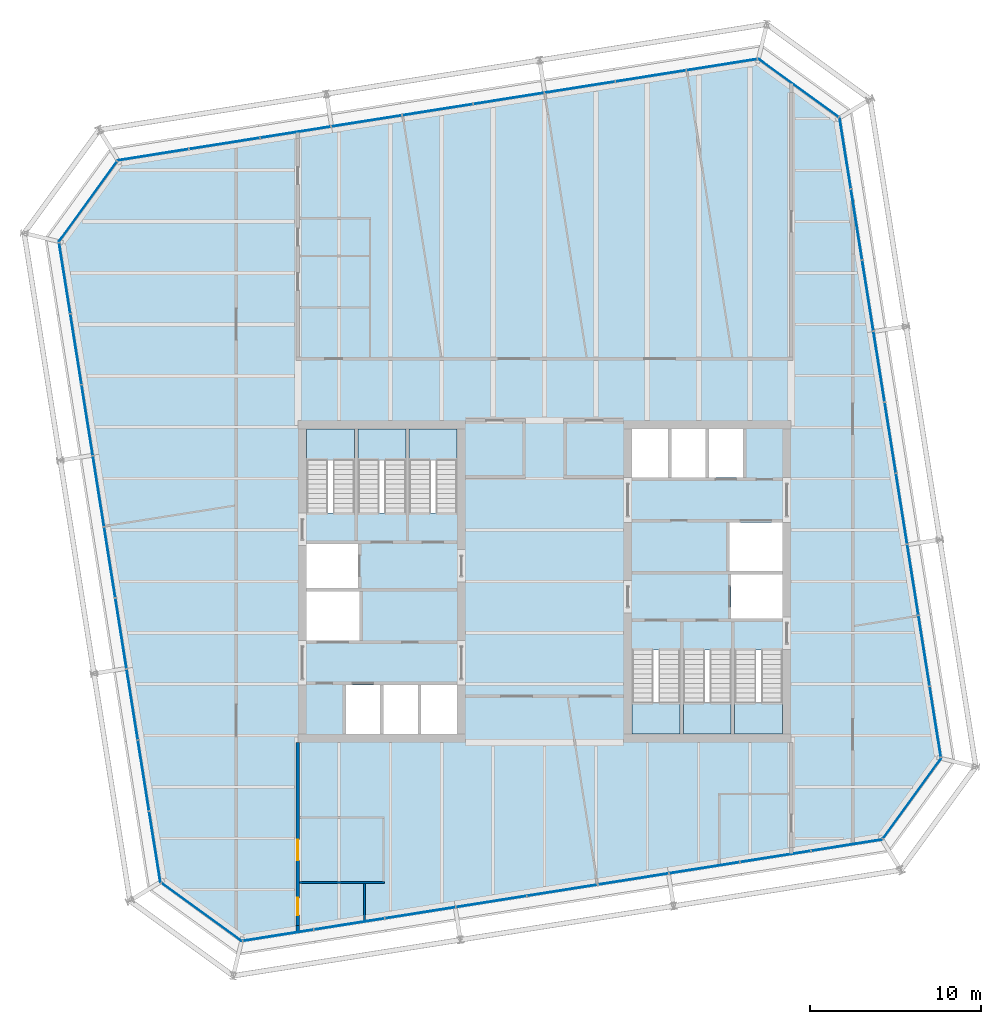
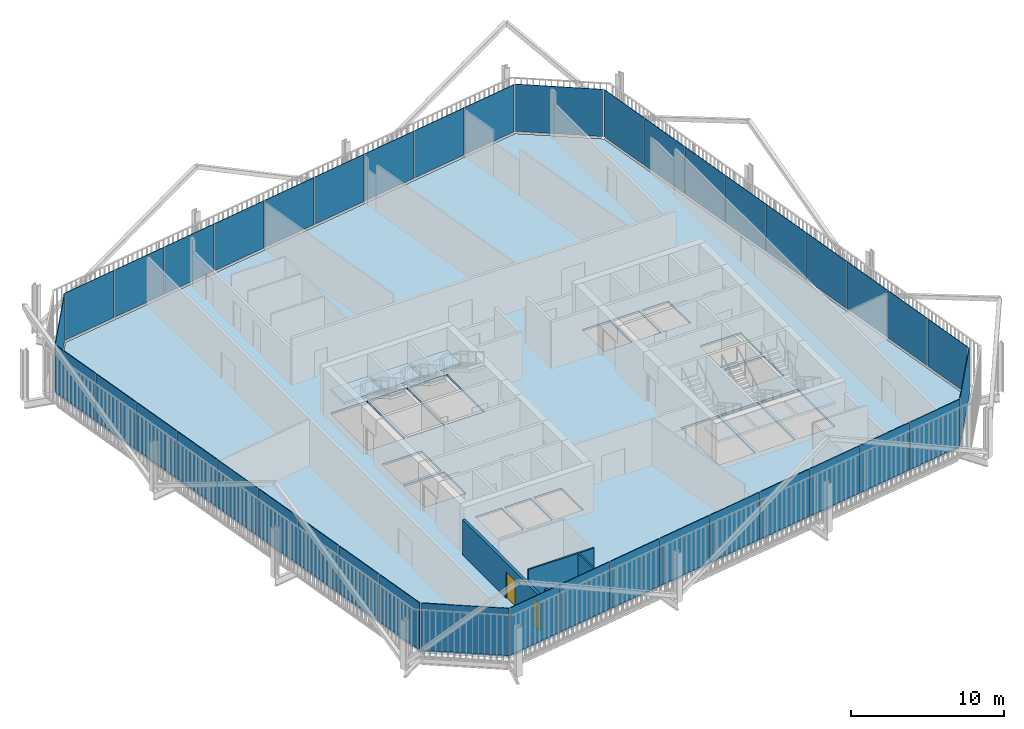
# One storey, part 16 of 21: 40 plates, 7 slabs, 4 walls, 2 doors, 2 openings, 14 elements without a shape of their own.
"""IFC4 building model written with IfcOpenShell, lengths in metres."""

from ifc_helpers import new_model, si_unit, direction, frame, frame_2d, origin, place, context, subcontext, project, spatial, polyline, rectangle, outline, extrude, material, layer, layer_set, type_object, element, fill, aggregate, save


model = new_model("IFC4")

# Units and contexts
model_context = context("Model", 3, precision=1e-05, world=origin(), true_north=direction((0.0, 1.0)))
body_context = subcontext(model_context, "Body", "Model", "MODEL_VIEW")
ifc_project = project(units=[si_unit("LENGTHUNIT", "METRE"), si_unit("AREAUNIT", "SQUARE_METRE"), si_unit("VOLUMEUNIT", "CUBIC_METRE"), si_unit("PLANEANGLEUNIT", "RADIAN"), si_unit("MASSUNIT", "GRAM", prefix="KILO")], contexts=[model_context])

# Site, building, storey
site_placement = place(None, origin())
site = spatial("IfcSite", under=ifc_project, at=site_placement, CompositionType="ELEMENT")
building_placement = place(site_placement, origin())
building = spatial("IfcBuilding", under=site, at=building_placement, Name="Millrace Tower", CompositionType="ELEMENT")
storey_placement = place(building_placement, frame((0.0, 0.0, 220.300048828125)))
storey = spatial("IfcBuildingStorey", under=building, at=storey_placement, Name="L50", CompositionType="ELEMENT", Elevation=220.300048828125)

# Curtain wall, plate
ifc_material_1 = material(Name="Aluminium and glass", Category="aluminium")
ifc_layer_1 = layer(ifc_material_1, 0.14990234375)
ifc_layer_set_1 = layer_set([ifc_layer_1], Name="Aluminium and glass")
curtain_wall_type = type_object("IfcCurtainWallType", Name="CW-1 office vision curtain wall", PredefinedType="NOTDEFINED", material=ifc_layer_set_1)
placement_1 = place(storey_placement, origin())
curtain_wall_1 = element("IfcCurtainWall", 1, at=placement_1, inside=storey, type_object=curtain_wall_type, Name="Curtain wall D-F01 L50", PredefinedType="NOTDEFINED")
ifc_material_2 = material(Name="Glass", Category="glass")
ifc_layer_2 = layer(ifc_material_2, 0.0439453125)
ifc_layer_set_2 = layer_set([ifc_layer_2], Name="Glass")
plate_type = type_object("IfcPlateType", Name="CW-1 office vision curtain wall triple-glazed vision panel", PredefinedType="CURTAIN_PANEL", material=ifc_layer_set_2)
placement_2 = place(storey_placement, frame((0.0, 0.0, 0.139892578125)))
plate_1 = element("IfcPlate", 2, at=placement_2, type_object=plate_type, Name="CW1 panel D-F01.1", PredefinedType="CURTAIN_PANEL", context=body_context, shape_type="SweptSolid", body=[
    extrude(outline(polyline([(-22.36474609375, -17.632080078125), (-17.69384765625, -21.025634765625), (-17.6826171875, -20.979248046875), (-22.3388671875, -17.596435546875), (-22.36474609375, -17.632080078125)])), origin(), (0.0, 0.0, 1.0), 3.760009765625),
])
aggregate(curtain_wall_1, [plate_1])

# Curtain wall, plates
curtain_wall_2 = element("IfcCurtainWall", 3, at=placement_1, inside=storey, type_object=curtain_wall_type, Name="Curtain wall D-F02 L50", PredefinedType="NOTDEFINED")
plate_2 = element("IfcPlate", 4, at=placement_2, type_object=plate_type, Name="CW1 panel D-F02.1", PredefinedType="CURTAIN_PANEL", context=body_context, shape_type="SweptSolid", body=[
    extrude(outline(polyline([(-17.58984375, -21.009033203125), (-13.505859375, -20.3623046875), (-13.5126953125, -20.31884765625), (-17.596923828125, -20.965576171875), (-17.58984375, -21.009033203125)])), origin(), (0.0, 0.0, 1.0), 3.760009765625),
])
plate_3 = element("IfcPlate", 5, at=placement_2, type_object=plate_type, Name="CW1 panel D-F02.2", PredefinedType="CURTAIN_PANEL", context=body_context, shape_type="SweptSolid", body=[
    extrude(outline(polyline([(-13.441650390625, -20.35205078125), (-9.357666015625, -19.705078125), (-9.364501953125, -19.66162109375), (-13.448486328125, -20.30859375), (-13.441650390625, -20.35205078125)])), origin(), (0.0, 0.0, 1.0), 3.760009765625),
])
plate_4 = element("IfcPlate", 6, at=placement_2, type_object=plate_type, Name="CW1 panel D-F02.3", PredefinedType="CURTAIN_PANEL", context=body_context, shape_type="SweptSolid", body=[
    extrude(outline(polyline([(-9.29345703125, -19.695068359375), (-5.209228515625, -19.048095703125), (-5.216064453125, -19.004638671875), (-9.30029296875, -19.651611328125), (-9.29345703125, -19.695068359375)])), origin(), (0.0, 0.0, 1.0), 3.760009765625),
])
plate_5 = element("IfcPlate", 7, at=placement_2, type_object=plate_type, Name="CW1 panel D-F02.4", PredefinedType="CURTAIN_PANEL", context=body_context, shape_type="SweptSolid", body=[
    extrude(outline(polyline([(-5.14501953125, -19.0380859375), (-1.06103515625, -18.39111328125), (-1.06787109375, -18.34765625), (-5.15185546875, -18.99462890625), (-5.14501953125, -19.0380859375)])), origin(), (0.0, 0.0, 1.0), 3.760009765625),
])
plate_6 = element("IfcPlate", 8, at=placement_2, type_object=plate_type, Name="CW1 panel D-F02.5", PredefinedType="CURTAIN_PANEL", context=body_context, shape_type="SweptSolid", body=[
    extrude(outline(polyline([(-0.996826171875, -18.380859375), (3.08740234375, -17.734130859375), (3.080322265625, -17.690673828125), (-1.003662109375, -18.33740234375), (-0.996826171875, -18.380859375)])), origin(), (0.0, 0.0, 1.0), 3.760009765625),
])
plate_7 = element("IfcPlate", 9, at=placement_2, type_object=plate_type, Name="CW1 panel D-F02.6", PredefinedType="CURTAIN_PANEL", context=body_context, shape_type="SweptSolid", body=[
    extrude(outline(polyline([(3.151611328125, -17.723876953125), (7.235595703125, -17.0771484375), (7.228759765625, -17.03369140625), (3.14453125, -17.680419921875), (3.151611328125, -17.723876953125)])), origin(), (0.0, 0.0, 1.0), 3.760009765625),
])
plate_8 = element("IfcPlate", 10, at=placement_2, type_object=plate_type, Name="CW1 panel D-F02.7", PredefinedType="CURTAIN_PANEL", context=body_context, shape_type="SweptSolid", body=[
    extrude(outline(polyline([(7.2998046875, -17.06689453125), (11.3837890625, -16.420166015625), (11.376953125, -16.376708984375), (7.29296875, -17.0234375), (7.2998046875, -17.06689453125)])), origin(), (0.0, 0.0, 1.0), 3.760009765625),
])
plate_9 = element("IfcPlate", 11, at=placement_2, type_object=plate_type, Name="CW1 panel D-F02.8", PredefinedType="CURTAIN_PANEL", context=body_context, shape_type="SweptSolid", body=[
    extrude(outline(polyline([(11.447998046875, -16.409912109375), (15.5322265625, -15.762939453125), (15.525390625, -15.719482421875), (11.441162109375, -16.366455078125), (11.447998046875, -16.409912109375)])), origin(), (0.0, 0.0, 1.0), 3.760009765625),
])
plate_10 = element("IfcPlate", 12, at=placement_2, type_object=plate_type, Name="CW1 panel D-F02.9", PredefinedType="CURTAIN_PANEL", context=body_context, shape_type="SweptSolid", body=[
    extrude(outline(polyline([(15.596435546875, -15.7529296875), (19.72021484375, -15.099853515625), (19.6953125, -15.05908203125), (15.589599609375, -15.70947265625), (15.596435546875, -15.7529296875)])), origin(), (0.0, 0.0, 1.0), 3.760009765625),
])
aggregate(curtain_wall_2, [plate_2, plate_3, plate_4, plate_5, plate_6, plate_7, plate_8, plate_9, plate_10])

# Curtain wall, plate
curtain_wall_3 = element("IfcCurtainWall", 13, at=placement_1, inside=storey, type_object=curtain_wall_type, Name="Curtain wall D-F03 L50", PredefinedType="NOTDEFINED")
plate_11 = element("IfcPlate", 14, at=placement_2, type_object=plate_type, Name="CW1 panel D-F03.1", PredefinedType="CURTAIN_PANEL", context=body_context, shape_type="SweptSolid", body=[
    extrude(outline(polyline([(19.781982421875, -15.0146484375), (23.175537109375, -10.34375), (23.129150390625, -10.332763671875), (19.746337890625, -14.98876953125), (19.781982421875, -15.0146484375)])), origin(), (0.0, 0.0, 1.0), 3.760009765625),
])
aggregate(curtain_wall_3, [plate_11])

# Curtain wall, plates
curtain_wall_4 = element("IfcCurtainWall", 15, at=placement_1, inside=storey, type_object=curtain_wall_type, Name="Curtain wall D-F04 L50", PredefinedType="NOTDEFINED")
plate_12 = element("IfcPlate", 16, at=placement_2, type_object=plate_type, Name="CW1 panel D-F04.1", PredefinedType="CURTAIN_PANEL", context=body_context, shape_type="SweptSolid", body=[
    extrude(outline(polyline([(23.1591796875, -10.239990234375), (22.51220703125, -6.15576171875), (22.46875, -6.162841796875), (23.11572265625, -10.246826171875), (23.1591796875, -10.239990234375)])), origin(), (0.0, 0.0, 1.0), 3.760009765625),
])
plate_13 = element("IfcPlate", 17, at=placement_2, type_object=plate_type, Name="CW1 panel D-F04.2", PredefinedType="CURTAIN_PANEL", context=body_context, shape_type="SweptSolid", body=[
    extrude(outline(polyline([(22.501953125, -6.091552734375), (21.855224609375, -2.007568359375), (21.811767578125, -2.014404296875), (22.45849609375, -6.0986328125), (22.501953125, -6.091552734375)])), origin(), (0.0, 0.0, 1.0), 3.760009765625),
])
plate_14 = element("IfcPlate", 18, at=placement_2, type_object=plate_type, Name="CW1 panel D-F04.3", PredefinedType="CURTAIN_PANEL", context=body_context, shape_type="SweptSolid", body=[
    extrude(outline(polyline([(21.844970703125, -1.943359375), (21.1982421875, 2.140625), (21.15478515625, 2.1337890625), (21.801513671875, -1.9501953125), (21.844970703125, -1.943359375)])), origin(), (0.0, 0.0, 1.0), 3.760009765625),
])
plate_15 = element("IfcPlate", 19, at=placement_2, type_object=plate_type, Name="CW1 panel D-F04.4", PredefinedType="CURTAIN_PANEL", context=body_context, shape_type="SweptSolid", body=[
    extrude(outline(polyline([(21.18798828125, 2.204833984375), (20.541259765625, 6.2890625), (20.497802734375, 6.2822265625), (21.14453125, 2.197998046875), (21.18798828125, 2.204833984375)])), origin(), (0.0, 0.0, 1.0), 3.760009765625),
])
plate_16 = element("IfcPlate", 20, at=placement_2, type_object=plate_type, Name="CW1 panel D-F04.5", PredefinedType="CURTAIN_PANEL", context=body_context, shape_type="SweptSolid", body=[
    extrude(outline(polyline([(20.531005859375, 6.353271484375), (19.884033203125, 10.437255859375), (19.840576171875, 10.430419921875), (20.487548828125, 6.346435546875), (20.531005859375, 6.353271484375)])), origin(), (0.0, 0.0, 1.0), 3.760009765625),
])
plate_17 = element("IfcPlate", 21, at=placement_2, type_object=plate_type, Name="CW1 panel D-F04.6", PredefinedType="CURTAIN_PANEL", context=body_context, shape_type="SweptSolid", body=[
    extrude(outline(polyline([(19.8740234375, 10.50146484375), (19.22705078125, 14.585693359375), (19.18359375, 14.57861328125), (19.83056640625, 10.49462890625), (19.8740234375, 10.50146484375)])), origin(), (0.0, 0.0, 1.0), 3.760009765625),
])
plate_18 = element("IfcPlate", 22, at=placement_2, type_object=plate_type, Name="CW1 panel D-F04.7", PredefinedType="CURTAIN_PANEL", context=body_context, shape_type="SweptSolid", body=[
    extrude(outline(polyline([(19.217041015625, 14.64990234375), (18.570068359375, 18.73388671875), (18.526611328125, 18.72705078125), (19.173583984375, 14.642822265625), (19.217041015625, 14.64990234375)])), origin(), (0.0, 0.0, 1.0), 3.760009765625),
])
plate_19 = element("IfcPlate", 23, at=placement_2, type_object=plate_type, Name="CW1 panel D-F04.8", PredefinedType="CURTAIN_PANEL", context=body_context, shape_type="SweptSolid", body=[
    extrude(outline(polyline([(18.559814453125, 18.798095703125), (17.9130859375, 22.882080078125), (17.86962890625, 22.875244140625), (18.516357421875, 18.791259765625), (18.559814453125, 18.798095703125)])), origin(), (0.0, 0.0, 1.0), 3.760009765625),
])
plate_20 = element("IfcPlate", 24, at=placement_2, type_object=plate_type, Name="CW1 panel D-F04.9", PredefinedType="CURTAIN_PANEL", context=body_context, shape_type="SweptSolid", body=[
    extrude(outline(polyline([(17.90283203125, 22.9462890625), (17.249755859375, 27.070068359375), (17.209228515625, 27.045166015625), (17.859375, 22.939453125), (17.90283203125, 22.9462890625)])), origin(), (0.0, 0.0, 1.0), 3.760009765625),
])
aggregate(curtain_wall_4, [plate_12, plate_13, plate_14, plate_15, plate_16, plate_17, plate_18, plate_19, plate_20])

# Curtain wall, plate
curtain_wall_5 = element("IfcCurtainWall", 25, at=placement_1, inside=storey, type_object=curtain_wall_type, Name="Curtain wall D-F05 L50", PredefinedType="NOTDEFINED")
plate_21 = element("IfcPlate", 26, at=placement_2, type_object=plate_type, Name="CW1 panel D-F05.1", PredefinedType="CURTAIN_PANEL", context=body_context, shape_type="SweptSolid", body=[
    extrude(outline(polyline([(17.16455078125, 27.132080078125), (12.493896484375, 30.525634765625), (12.482666015625, 30.479248046875), (17.138671875, 27.096435546875), (17.16455078125, 27.132080078125)])), origin(), (0.0, 0.0, 1.0), 3.760009765625),
])
aggregate(curtain_wall_5, [plate_21])

# Curtain wall, plates
curtain_wall_6 = element("IfcCurtainWall", 27, at=placement_1, inside=storey, type_object=curtain_wall_type, Name="Curtain wall D-F06 L50", PredefinedType="NOTDEFINED")
plate_22 = element("IfcPlate", 28, at=placement_2, type_object=plate_type, Name="CW1 panel D-F06.1", PredefinedType="CURTAIN_PANEL", context=body_context, shape_type="SweptSolid", body=[
    extrude(outline(polyline([(12.389892578125, 30.509033203125), (8.305908203125, 29.8623046875), (8.312744140625, 29.81884765625), (12.396728515625, 30.465576171875), (12.389892578125, 30.509033203125)])), origin(), (0.0, 0.0, 1.0), 3.760009765625),
])
plate_23 = element("IfcPlate", 29, at=placement_2, type_object=plate_type, Name="CW1 panel D-F06.2", PredefinedType="CURTAIN_PANEL", context=body_context, shape_type="SweptSolid", body=[
    extrude(outline(polyline([(8.24169921875, 29.85205078125), (4.157470703125, 29.205078125), (4.16455078125, 29.16162109375), (8.24853515625, 29.80859375), (8.24169921875, 29.85205078125)])), origin(), (0.0, 0.0, 1.0), 3.760009765625),
])
plate_24 = element("IfcPlate", 30, at=placement_2, type_object=plate_type, Name="CW1 panel D-F06.3", PredefinedType="CURTAIN_PANEL", context=body_context, shape_type="SweptSolid", body=[
    extrude(outline(polyline([(4.09326171875, 29.195068359375), (0.00927734375, 28.548095703125), (0.01611328125, 28.504638671875), (4.100341796875, 29.151611328125), (4.09326171875, 29.195068359375)])), origin(), (0.0, 0.0, 1.0), 3.760009765625),
])
plate_25 = element("IfcPlate", 31, at=placement_2, type_object=plate_type, Name="CW1 panel D-F06.4", PredefinedType="CURTAIN_PANEL", context=body_context, shape_type="SweptSolid", body=[
    extrude(outline(polyline([(-0.054931640625, 28.5380859375), (-4.138916015625, 27.89111328125), (-4.132080078125, 27.84765625), (-0.048095703125, 28.49462890625), (-0.054931640625, 28.5380859375)])), origin(), (0.0, 0.0, 1.0), 3.760009765625),
])
plate_26 = element("IfcPlate", 32, at=placement_2, type_object=plate_type, Name="CW1 panel D-F06.5", PredefinedType="CURTAIN_PANEL", context=body_context, shape_type="SweptSolid", body=[
    extrude(outline(polyline([(-4.203125, 27.880859375), (-8.287353515625, 27.234130859375), (-8.280517578125, 27.190673828125), (-4.1962890625, 27.83740234375), (-4.203125, 27.880859375)])), origin(), (0.0, 0.0, 1.0), 3.760009765625),
])
plate_27 = element("IfcPlate", 33, at=placement_2, type_object=plate_type, Name="CW1 panel D-F06.6", PredefinedType="CURTAIN_PANEL", context=body_context, shape_type="SweptSolid", body=[
    extrude(outline(polyline([(-8.3515625, 27.223876953125), (-12.435546875, 26.5771484375), (-12.4287109375, 26.53369140625), (-8.3447265625, 27.180419921875), (-8.3515625, 27.223876953125)])), origin(), (0.0, 0.0, 1.0), 3.760009765625),
])
plate_28 = element("IfcPlate", 34, at=placement_2, type_object=plate_type, Name="CW1 panel D-F06.7", PredefinedType="CURTAIN_PANEL", context=body_context, shape_type="SweptSolid", body=[
    extrude(outline(polyline([(-12.499755859375, 26.56689453125), (-16.583984375, 25.920166015625), (-16.576904296875, 25.876708984375), (-12.492919921875, 26.5234375), (-12.499755859375, 26.56689453125)])), origin(), (0.0, 0.0, 1.0), 3.760009765625),
])
plate_29 = element("IfcPlate", 35, at=placement_2, type_object=plate_type, Name="CW1 panel D-F06.8", PredefinedType="CURTAIN_PANEL", context=body_context, shape_type="SweptSolid", body=[
    extrude(outline(polyline([(-16.648193359375, 25.909912109375), (-20.732177734375, 25.262939453125), (-20.725341796875, 25.219482421875), (-16.64111328125, 25.866455078125), (-16.648193359375, 25.909912109375)])), origin(), (0.0, 0.0, 1.0), 3.760009765625),
])
plate_30 = element("IfcPlate", 36, at=placement_2, type_object=plate_type, Name="CW1 panel D-F06.9", PredefinedType="CURTAIN_PANEL", context=body_context, shape_type="SweptSolid", body=[
    extrude(outline(polyline([(-20.79638671875, 25.2529296875), (-24.920166015625, 24.599853515625), (-24.895263671875, 24.55908203125), (-20.78955078125, 25.20947265625), (-20.79638671875, 25.2529296875)])), origin(), (0.0, 0.0, 1.0), 3.760009765625),
])
aggregate(curtain_wall_6, [plate_22, plate_23, plate_24, plate_25, plate_26, plate_27, plate_28, plate_29, plate_30])

# Curtain wall, plate
curtain_wall_7 = element("IfcCurtainWall", 37, at=placement_1, inside=storey, type_object=curtain_wall_type, Name="Curtain wall D-F07 L50", PredefinedType="NOTDEFINED")
plate_31 = element("IfcPlate", 38, at=placement_2, type_object=plate_type, Name="CW1 panel D-F07.1", PredefinedType="CURTAIN_PANEL", context=body_context, shape_type="SweptSolid", body=[
    extrude(outline(polyline([(-24.98193359375, 24.5146484375), (-28.37548828125, 19.84375), (-28.329345703125, 19.832763671875), (-24.9462890625, 24.48876953125), (-24.98193359375, 24.5146484375)])), origin(), (0.0, 0.0, 1.0), 3.760009765625),
])
aggregate(curtain_wall_7, [plate_31])

# Curtain wall, plates
curtain_wall_8 = element("IfcCurtainWall", 39, at=placement_1, inside=storey, type_object=curtain_wall_type, Name="Curtain wall D-F08 L50", PredefinedType="NOTDEFINED")
plate_32 = element("IfcPlate", 40, at=placement_2, type_object=plate_type, Name="CW1 panel D-F08.1", PredefinedType="CURTAIN_PANEL", context=body_context, shape_type="SweptSolid", body=[
    extrude(outline(polyline([(-28.359130859375, 19.739990234375), (-27.712158203125, 15.65576171875), (-27.668701171875, 15.662841796875), (-28.315673828125, 19.746826171875), (-28.359130859375, 19.739990234375)])), origin(), (0.0, 0.0, 1.0), 3.760009765625),
])
plate_33 = element("IfcPlate", 41, at=placement_2, type_object=plate_type, Name="CW1 panel D-F08.2", PredefinedType="CURTAIN_PANEL", context=body_context, shape_type="SweptSolid", body=[
    extrude(outline(polyline([(-27.7021484375, 15.591552734375), (-27.05517578125, 11.507568359375), (-27.01171875, 11.514404296875), (-27.65869140625, 15.5986328125), (-27.7021484375, 15.591552734375)])), origin(), (0.0, 0.0, 1.0), 3.760009765625),
])
plate_34 = element("IfcPlate", 42, at=placement_2, type_object=plate_type, Name="CW1 panel D-F08.3", PredefinedType="CURTAIN_PANEL", context=body_context, shape_type="SweptSolid", body=[
    extrude(outline(polyline([(-27.044921875, 11.443359375), (-26.398193359375, 7.359375), (-26.354736328125, 7.3662109375), (-27.00146484375, 11.4501953125), (-27.044921875, 11.443359375)])), origin(), (0.0, 0.0, 1.0), 3.760009765625),
])
plate_35 = element("IfcPlate", 43, at=placement_2, type_object=plate_type, Name="CW1 panel D-F08.4", PredefinedType="CURTAIN_PANEL", context=body_context, shape_type="SweptSolid", body=[
    extrude(outline(polyline([(-26.387939453125, 7.295166015625), (-25.7412109375, 3.2109375), (-25.69775390625, 3.2177734375), (-26.344482421875, 7.302001953125), (-26.387939453125, 7.295166015625)])), origin(), (0.0, 0.0, 1.0), 3.760009765625),
])
plate_36 = element("IfcPlate", 44, at=placement_2, type_object=plate_type, Name="CW1 panel D-F08.5", PredefinedType="CURTAIN_PANEL", context=body_context, shape_type="SweptSolid", body=[
    extrude(outline(polyline([(-25.73095703125, 3.146728515625), (-25.084228515625, -0.937255859375), (-25.040771484375, -0.930419921875), (-25.6875, 3.153564453125), (-25.73095703125, 3.146728515625)])), origin(), (0.0, 0.0, 1.0), 3.760009765625),
])
plate_37 = element("IfcPlate", 45, at=placement_2, type_object=plate_type, Name="CW1 panel D-F08.6", PredefinedType="CURTAIN_PANEL", context=body_context, shape_type="SweptSolid", body=[
    extrude(outline(polyline([(-25.073974609375, -1.00146484375), (-24.427001953125, -5.085693359375), (-24.383544921875, -5.07861328125), (-25.030517578125, -0.99462890625), (-25.073974609375, -1.00146484375)])), origin(), (0.0, 0.0, 1.0), 3.760009765625),
])
plate_38 = element("IfcPlate", 46, at=placement_2, type_object=plate_type, Name="CW1 panel D-F08.7", PredefinedType="CURTAIN_PANEL", context=body_context, shape_type="SweptSolid", body=[
    extrude(outline(polyline([(-24.4169921875, -5.14990234375), (-23.77001953125, -9.23388671875), (-23.7265625, -9.22705078125), (-24.37353515625, -5.142822265625), (-24.4169921875, -5.14990234375)])), origin(), (0.0, 0.0, 1.0), 3.760009765625),
])
plate_39 = element("IfcPlate", 47, at=placement_2, type_object=plate_type, Name="CW1 panel D-F08.8", PredefinedType="CURTAIN_PANEL", context=body_context, shape_type="SweptSolid", body=[
    extrude(outline(polyline([(-23.760009765625, -9.298095703125), (-23.113037109375, -13.382080078125), (-23.069580078125, -13.375244140625), (-23.716552734375, -9.291259765625), (-23.760009765625, -9.298095703125)])), origin(), (0.0, 0.0, 1.0), 3.760009765625),
])
plate_40 = element("IfcPlate", 48, at=placement_2, type_object=plate_type, Name="CW1 panel D-F08.9", PredefinedType="CURTAIN_PANEL", context=body_context, shape_type="SweptSolid", body=[
    extrude(outline(polyline([(-23.102783203125, -13.4462890625), (-22.44970703125, -17.570068359375), (-22.4091796875, -17.545166015625), (-23.059326171875, -13.439453125), (-23.102783203125, -13.4462890625)])), origin(), (0.0, 0.0, 1.0), 3.760009765625),
])
aggregate(curtain_wall_8, [plate_32, plate_33, plate_34, plate_35, plate_36, plate_37, plate_38, plate_39, plate_40])

# Slab
ifc_material_3 = material(Name="Concrete C35 on steel deck", Category="concrete")
ifc_layer_3 = layer(ifc_material_3, 0.159912109375)
ifc_layer_set_3 = layer_set([ifc_layer_3], Name="Concrete C35 on steel deck")
slab_type_1 = type_object("IfcSlabType", Name="Composite floor slab 160 mm", PredefinedType="FLOOR", material=ifc_layer_set_3)
slab_1_placement = place(storey_placement, frame((0.0, 0.0, -0.16015625)))
element("IfcSlab", 49, at=slab_1_placement, inside=storey, type_object=slab_type_1, Name="SL-D-L50-S1", PredefinedType="FLOOR", context=body_context, shape_type="SweptSolid", body=[
    extrude(outline(polyline([(-22.360107421875, -17.515380859375), (-17.66943359375, -20.92333984375), (19.665283203125, -15.01025390625), (23.073486328125, -10.3193359375), (17.16015625, 27.015380859375), (12.46923828125, 30.42333984375), (-24.865234375, 24.51025390625), (-28.2734375, 19.8193359375), (-22.360107421875, -17.515380859375)]), holes=[polyline([(-11.60009765625, -8.89990234375), (-9.60009765625, -8.89990234375), (-9.60009765625, -6.050048828125), (-11.60009765625, -6.050048828125), (-11.60009765625, -8.89990234375)]), polyline([(-9.39990234375, -8.89990234375), (-7.39990234375, -8.89990234375), (-7.39990234375, -6.050048828125), (-9.39990234375, -6.050048828125), (-9.39990234375, -8.89990234375)]), polyline([(-7.199951171875, -8.89990234375), (-5.10009765625, -8.89990234375), (-5.10009765625, -6.050048828125), (-7.199951171875, -6.050048828125), (-7.199951171875, -8.89990234375)]), polyline([(-13.89990234375, -3.449951171875), (-10.800048828125, -3.449951171875), (-10.800048828125, -0.60009765625), (-13.89990234375, -0.60009765625), (-13.89990234375, -3.449951171875)]), polyline([(-13.89990234375, -0.39990234375), (-10.89990234375, -0.39990234375), (-10.89990234375, 2.179931640625), (-13.89990234375, 2.179931640625), (-13.89990234375, -0.39990234375)]), polyline([(-13.89990234375, 4.0), (-11.10009765625, 4.0), (-11.10009765625, 8.89990234375), (-13.89990234375, 8.89990234375), (-13.89990234375, 4.0)]), polyline([(-10.89990234375, 4.0), (-8.10009765625, 4.0), (-8.10009765625, 8.89990234375), (-10.89990234375, 8.89990234375), (-10.89990234375, 4.0)]), polyline([(-7.89990234375, 4.0), (-5.10009765625, 4.0), (-5.10009765625, 8.89990234375), (-7.89990234375, 8.89990234375), (-7.89990234375, 4.0)]), polyline([(9.60009765625, 6.050048828125), (11.60009765625, 6.050048828125), (11.60009765625, 8.89990234375), (9.60009765625, 8.89990234375), (9.60009765625, 6.050048828125)]), polyline([(7.39990234375, 6.050048828125), (9.39990234375, 6.050048828125), (9.39990234375, 8.89990234375), (7.39990234375, 8.89990234375), (7.39990234375, 6.050048828125)]), polyline([(5.10009765625, 6.050048828125), (7.199951171875, 6.050048828125), (7.199951171875, 8.89990234375), (5.10009765625, 8.89990234375), (5.10009765625, 6.050048828125)]), polyline([(10.800048828125, 0.60009765625), (13.89990234375, 0.60009765625), (13.89990234375, 3.449951171875), (10.800048828125, 3.449951171875), (10.800048828125, 0.60009765625)]), polyline([(10.89990234375, -2.179931640625), (13.89990234375, -2.179931640625), (13.89990234375, 0.39990234375), (10.89990234375, 0.39990234375), (10.89990234375, -2.179931640625)]), polyline([(11.10009765625, -8.89990234375), (13.89990234375, -8.89990234375), (13.89990234375, -4.0), (11.10009765625, -4.0), (11.10009765625, -8.89990234375)]), polyline([(8.10009765625, -8.89990234375), (10.89990234375, -8.89990234375), (10.89990234375, -4.0), (8.10009765625, -4.0), (8.10009765625, -8.89990234375)]), polyline([(5.10009765625, -8.89990234375), (7.89990234375, -8.89990234375), (7.89990234375, -4.0), (5.10009765625, -4.0), (5.10009765625, -8.89990234375)])]), origin(), (0.0, 0.0, 1.0), 0.16015625),
])

# Stair, slab
ifc_material_4 = material(Name="Concrete C35", Category="concrete")
stair_type = type_object("IfcStairType", Name="Exit stair", PredefinedType="HALF_TURN_STAIR", material=ifc_material_4)
stair_1 = element("IfcStair", 50, at=placement_1, inside=storey, type_object=stair_type, Name="Stair 1 W L50", PredefinedType="HALF_TURN_STAIR")
ifc_material_5 = material(Name="Concrete C40", Category="concrete")
ifc_layer_4 = layer(ifc_material_5, 0.199951171875)
ifc_layer_set_4 = layer_set([ifc_layer_4], Name="Concrete C40")
slab_type_2 = type_object("IfcSlabType", Name="Stair landing", PredefinedType="LANDING", material=ifc_layer_set_4)
placement_3 = place(storey_placement, frame((0.0, 0.0, 1.75)))
slab_2 = element("IfcSlab", 51, at=placement_3, type_object=slab_type_2, Name="ST12 landing 1", PredefinedType="LANDING", context=body_context, shape_type="SweptSolid", body=[
    extrude(outline(polyline([(-13.89990234375, 7.080078125), (-11.10009765625, 7.080078125), (-11.10009765625, 8.89990234375), (-13.89990234375, 8.89990234375), (-13.89990234375, 7.080078125)])), origin(), (0.0, 0.0, 1.0), 0.199951171875),
])
aggregate(stair_1, [slab_2])

stair_2 = element("IfcStair", 52, at=placement_1, inside=storey, type_object=stair_type, Name="Stair 2 W L50", PredefinedType="HALF_TURN_STAIR")
slab_3 = element("IfcSlab", 53, at=placement_3, type_object=slab_type_2, Name="ST12 landing 1", PredefinedType="LANDING", context=body_context, shape_type="SweptSolid", body=[
    extrude(outline(polyline([(-10.89990234375, 7.080078125), (-8.10009765625, 7.080078125), (-8.10009765625, 8.89990234375), (-10.89990234375, 8.89990234375), (-10.89990234375, 7.080078125)])), origin(), (0.0, 0.0, 1.0), 0.199951171875),
])
aggregate(stair_2, [slab_3])

stair_3 = element("IfcStair", 54, at=placement_1, inside=storey, type_object=stair_type, Name="Stair 3 W L50", PredefinedType="HALF_TURN_STAIR")
slab_4 = element("IfcSlab", 55, at=placement_3, type_object=slab_type_2, Name="ST12 landing 1", PredefinedType="LANDING", context=body_context, shape_type="SweptSolid", body=[
    extrude(outline(polyline([(-7.89990234375, 7.080078125), (-5.10009765625, 7.080078125), (-5.10009765625, 8.89990234375), (-7.89990234375, 8.89990234375), (-7.89990234375, 7.080078125)])), origin(), (0.0, 0.0, 1.0), 0.199951171875),
])
aggregate(stair_3, [slab_4])

stair_4 = element("IfcStair", 56, at=placement_1, inside=storey, type_object=stair_type, Name="Stair 1 E L50", PredefinedType="HALF_TURN_STAIR")
slab_5 = element("IfcSlab", 57, at=placement_3, type_object=slab_type_2, Name="ST12 landing 1", PredefinedType="LANDING", context=body_context, shape_type="SweptSolid", body=[
    extrude(outline(polyline([(11.10009765625, -8.89990234375), (13.89990234375, -8.89990234375), (13.89990234375, -7.080078125), (11.10009765625, -7.080078125), (11.10009765625, -8.89990234375)])), origin(), (0.0, 0.0, 1.0), 0.199951171875),
])
aggregate(stair_4, [slab_5])

stair_5 = element("IfcStair", 58, at=placement_1, inside=storey, type_object=stair_type, Name="Stair 2 E L50", PredefinedType="HALF_TURN_STAIR")
slab_6 = element("IfcSlab", 59, at=placement_3, type_object=slab_type_2, Name="ST12 landing 1", PredefinedType="LANDING", context=body_context, shape_type="SweptSolid", body=[
    extrude(outline(polyline([(8.10009765625, -8.89990234375), (10.89990234375, -8.89990234375), (10.89990234375, -7.080078125), (8.10009765625, -7.080078125), (8.10009765625, -8.89990234375)])), origin(), (0.0, 0.0, 1.0), 0.199951171875),
])
aggregate(stair_5, [slab_6])

stair_6 = element("IfcStair", 60, at=placement_1, inside=storey, type_object=stair_type, Name="Stair 3 E L50", PredefinedType="HALF_TURN_STAIR")
slab_7 = element("IfcSlab", 61, at=placement_3, type_object=slab_type_2, Name="ST12 landing 1", PredefinedType="LANDING", context=body_context, shape_type="SweptSolid", body=[
    extrude(outline(polyline([(5.10009765625, -8.89990234375), (7.89990234375, -8.89990234375), (7.89990234375, -7.080078125), (5.10009765625, -7.080078125), (5.10009765625, -8.89990234375)])), origin(), (0.0, 0.0, 1.0), 0.199951171875),
])
aggregate(stair_6, [slab_7])

# Wall
ifc_material_6 = material(Name="Masonry partition, fire-rated", Category="masonry")
ifc_layer_5 = layer(ifc_material_6, 0.199951171875)
ifc_layer_set_5 = layer_set([ifc_layer_5], Name="Masonry partition, fire-rated")
wall_type_1 = type_object("IfcWallType", Name="Corridor wall 200", PredefinedType="PARTITIONING", material=ifc_layer_set_5)
wall_1_placement = place(storey_placement, frame((-14.39990234375, -20.43603515625, 0.0), z_axis=(0.0, 0.0, 1.0), x_axis=(0.0, 1.0, 0.0)))
element("IfcWall", 62, at=wall_1_placement, inside=storey, type_object=wall_type_1, Name="Corridor wall L50", PredefinedType="PARTITIONING", context=body_context, shape_type="SweptSolid", body=[
    extrude(rectangle(XDim=0.349609375, YDim=0.199951171875, at=frame_2d((0.1748046875, 0.0))), origin(), (0.0, 0.0, 1.0), 3.739990234375),
])

# Wall, openings, doors
wall_2_placement = place(storey_placement, frame((-14.39990234375, -20.08642578125, 0.0), z_axis=(0.0, 0.0, 1.0), x_axis=(0.0, 1.0, 0.0)))
wall_2 = element("IfcWall", 63, at=wall_2_placement, inside=storey, type_object=wall_type_1, Name="Corridor wall L50", PredefinedType="PARTITIONING", context=body_context, shape_type="SweptSolid", body=[
    extrude(rectangle(XDim=10.6865234375, YDim=0.199951171875, at=frame_2d((5.34326171875, 0.0))), origin(), (0.0, 0.0, 1.0), 2.812744140625),
])
opening_1_placement = place(wall_2_placement, frame((0.6015625, 0.0, 0.0)))
opening_1 = element("IfcOpeningElement", 64, at=opening_1_placement, cuts=wall_2, Name="Opening 50-P015", PredefinedType="OPENING", context=body_context, shape_type="SweptSolid", body=[
    extrude(rectangle(XDim=1.0, YDim=2.10009765625, at=frame_2d((0.5, 1.050048828125))), frame((0.0, 0.10986328125, 0.0), z_axis=(0.0, -1.0, 0.0), x_axis=(1.0, 0.0, 0.0)), (0.0, 0.0, 1.0), 0.219970703125),
])
opening_2_placement = place(wall_2_placement, frame((3.801513671875, 0.0, 0.0)))
opening_2 = element("IfcOpeningElement", 65, at=opening_2_placement, cuts=wall_2, Name="Opening 50-P016", PredefinedType="OPENING", context=body_context, shape_type="SweptSolid", body=[
    extrude(rectangle(XDim=1.199951171875, YDim=2.10009765625, at=frame_2d((0.60009765625, 1.050048828125))), frame((0.0, 0.10986328125, 0.0), z_axis=(0.0, -1.0, 0.0), x_axis=(1.0, 0.0, 0.0)), (0.0, 0.0, 1.0), 0.219970703125),
])
ifc_material_7 = material(Name="Steel door set, fire-rated", Category="steel")
door_type_1 = type_object("IfcDoorType", Name="Corridor door 1000 x 2100", OperationType="SINGLE_SWING_LEFT", PredefinedType="DOOR", material=ifc_material_7)
door_1_placement = place(opening_1_placement, frame((1.0, 0.0, 0.0), z_axis=(0.0, 0.0, 1.0), x_axis=(-1.0, 0.0, 0.0)))
door_1 = element("IfcDoor", 66, at=door_1_placement, inside=storey, type_object=door_type_1, Name="Door 50-P015", OperationType="SINGLE_SWING_RIGHT", OverallHeight=2.10009765625, OverallWidth=1.0, PredefinedType="DOOR", context=body_context, shape_type="SweptSolid", body=[
    extrude(rectangle(XDim=1.0, YDim=2.10009765625, at=frame_2d((0.5, 1.050048828125))), frame((0.0, 0.02490234375, 0.0), z_axis=(0.0, -1.0, 0.0), x_axis=(1.0, 0.0, 0.0)), (0.0, 0.0, 1.0), 0.050048828125),
])
fill(opening_1, door_1)
ifc_material_8 = material(Name="Steel door set, fire-rated", Category="steel")
door_type_2 = type_object("IfcDoorType", Name="Corridor door 1200 x 2100", OperationType="SINGLE_SWING_LEFT", PredefinedType="DOOR", material=ifc_material_8)
door_2_placement = place(opening_2_placement, frame((1.199951171875, 0.0, 0.0), z_axis=(0.0, 0.0, 1.0), x_axis=(-1.0, 0.0, 0.0)))
door_2 = element("IfcDoor", 67, at=door_2_placement, inside=storey, type_object=door_type_2, Name="Door 50-P016", OperationType="SINGLE_SWING_RIGHT", OverallHeight=2.10009765625, OverallWidth=1.199951171875, PredefinedType="DOOR", context=body_context, shape_type="SweptSolid", body=[
    extrude(rectangle(XDim=1.199951171875, YDim=2.10009765625, at=frame_2d((0.60009765625, 1.050048828125))), frame((0.0, 0.02490234375, 0.0), z_axis=(0.0, -1.0, 0.0), x_axis=(1.0, 0.0, 0.0)), (0.0, 0.0, 1.0), 0.050048828125),
])
fill(opening_2, door_2)

# Walls
ifc_material_9 = material(Name="Gypsum board partition")
ifc_layer_6 = layer(ifc_material_9, 0.1201171875)
ifc_layer_set_6 = layer_set([ifc_layer_6], Name="Gypsum board partition")
wall_type_2 = type_object("IfcWallType", Name="Partition wall 120", PredefinedType="PARTITIONING", material=ifc_layer_set_6)
wall_3_placement = place(storey_placement, frame((-14.300048828125, -17.5849609375, 0.0), z_axis=(0.0, 0.0, 1.0), x_axis=(1.0, 0.0, 0.0)))
element("IfcWall", 68, at=wall_3_placement, inside=storey, type_object=wall_type_2, Name="Partition wall L50", PredefinedType="PARTITIONING", context=body_context, shape_type="SweptSolid", body=[
    extrude(rectangle(XDim=4.9599609375, YDim=0.1201171875, at=frame_2d((2.47998046875, 0.0))), origin(), (0.0, 0.0, 1.0), 3.739990234375),
])
wall_4_placement = place(storey_placement, frame((-10.5, -19.818359375, 0.0), z_axis=(0.0, 0.0, 1.0), x_axis=(0.0, 1.0, 0.0)))
element("IfcWall", 69, at=wall_4_placement, inside=storey, type_object=wall_type_2, Name="Partition wall L50", PredefinedType="PARTITIONING", context=body_context, shape_type="SweptSolid", body=[
    extrude(rectangle(XDim=2.17333984375, YDim=0.1201171875, at=frame_2d((1.086669921875, 0.0))), origin(), (0.0, 0.0, 1.0), 3.739990234375),
])

save(model, "model.ifc")
